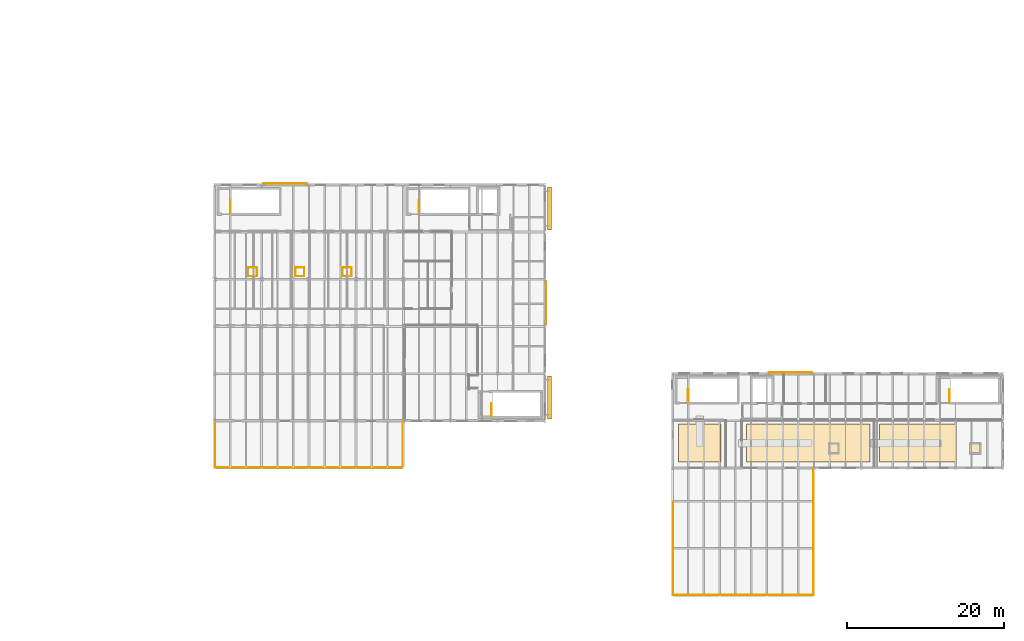
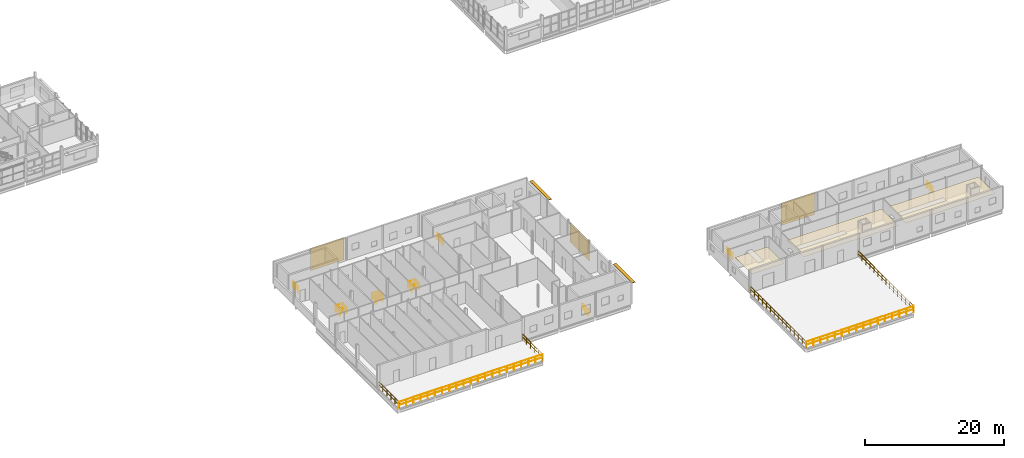
# One storey, part 43 of 45: 23 railings, 6 coverings, 2 shading devices.
"""IFC4 building model written with IfcOpenShell, lengths in metres."""

from ifc_helpers import new_model, si_unit, direction, frame, origin, origin_2d, place, context, subcontext, project, spatial, polyline, rectangle, circle, outline, extrude, material, layer, layer_set, type_object, element, save


model = new_model("IFC4")

# Units and contexts
model_context = context("Model", 3, precision=1e-05, world=origin(), true_north=direction((0.0, 1.0)))
body_context = subcontext(model_context, "Body", "Model", "MODEL_VIEW")
ifc_project = project(units=[si_unit("LENGTHUNIT", "METRE"), si_unit("AREAUNIT", "SQUARE_METRE"), si_unit("VOLUMEUNIT", "CUBIC_METRE"), si_unit("PLANEANGLEUNIT", "RADIAN"), si_unit("MASSUNIT", "GRAM", prefix="KILO")], contexts=[model_context])

# Site, building, storey
site_placement = place(None, origin())
site = spatial("IfcSite", under=ifc_project, at=site_placement, CompositionType="ELEMENT")
building_placement = place(site_placement, origin())
building = spatial("IfcBuilding", under=site, at=building_placement, Name="Siltcreek Boulevard Central Fire Station", CompositionType="ELEMENT")
storey_placement = place(building_placement, frame((0.0, 0.0, 10.0)))
storey = spatial("IfcBuildingStorey", under=building, at=storey_placement, Name="L03", CompositionType="ELEMENT", Elevation=10.0)

# Coverings
ifc_material_1 = material(Name="Mineral-fiber acoustic ceiling tile", Category="gypsum")
ifc_layer_1 = layer(ifc_material_1, 0.02490234375, Name="Mineral-fiber acoustic ceiling tile")
ifc_layer_set_1 = layer_set([ifc_layer_1], Name="Mineral-fiber acoustic ceiling tile")
covering_type_1 = type_object("IfcCoveringType", Name="COV_CEIL_ACT", PredefinedType="CEILING", material=ifc_layer_set_1)
covering_1_placement = place(storey_placement, frame((0.0, 0.0, 2.419921875)))
element("IfcCovering", 1, at=covering_1_placement, inside=storey, type_object=covering_type_1, Name="L03 Incident Command Simulation Laboratory acoustic ceiling ACT-032", PredefinedType="CEILING", context=body_context, shape_type="SweptSolid", body=[
    extrude(outline(polyline([(125.0, 18.75), (130.3798828125, 18.75), (130.3798828125, 23.580078125), (125.0, 23.580078125), (125.0, 18.75)])), origin(), (0.0, 0.0, 1.0), 0.025146484375),
])
covering_2_placement = place(storey_placement, frame((0.0, 0.0, 2.419921875)))
element("IfcCovering", 2, at=covering_2_placement, inside=storey, type_object=covering_type_1, Name="L03 Hazmat Plume Simulation Laboratory acoustic ceiling ACT-033", PredefinedType="CEILING", context=body_context, shape_type="SweptSolid", body=[
    extrude(outline(polyline([(133.60009765625, 18.75), (149.300048828125, 18.75), (149.300048828125, 23.580078125), (133.60009765625, 23.580078125), (133.60009765625, 18.75)])), origin(), (0.0, 0.0, 1.0), 0.025146484375),
])
covering_3_placement = place(storey_placement, frame((0.0, 0.0, 2.419921875)))
element("IfcCovering", 3, at=covering_3_placement, inside=storey, type_object=covering_type_1, Name="L03 Paramedic High Fidelity Skills Lab acoustic ceiling ACT-034", PredefinedType="CEILING", context=body_context, shape_type="SweptSolid", body=[
    extrude(outline(polyline([(150.5, 18.75), (165.39990234375, 18.75), (165.39990234375, 23.580078125), (150.5, 23.580078125), (150.5, 18.75)])), origin(), (0.0, 0.0, 1.0), 0.025146484375),
])
ifc_material_2 = material(Name="Crisp white ribbed aluminum facade panel", Category="aluminium")
ifc_layer_2 = layer(ifc_material_2, 0.0400390625, Name="Crisp white ribbed aluminum facade panel")
ifc_layer_set_2 = layer_set([ifc_layer_2], Name="Crisp white ribbed aluminum facade panel")
covering_type_2 = type_object("IfcCoveringType", Name="COV_CLAD_WHITE", PredefinedType="CLADDING", material=ifc_layer_set_2)
covering_4_placement = place(storey_placement, frame((75.0, 54.1630859375, 0.050048828125), z_axis=(0.0, 0.0, 1.0), x_axis=(-1.0, 0.0, 0.0)))
element("IfcCovering", 4, at=covering_4_placement, inside=storey, type_object=covering_type_2, Name="L03 V2 ventilated facade cladding panel CL-006", PredefinedType="CLADDING", context=body_context, shape_type="SweptSolid", body=[
    extrude(rectangle(XDim=5.550048828125, YDim=0.0400390625, at=origin_2d()), origin(), (0.0, 0.0, 1.0), 3.89990234375),
])
covering_5_placement = place(storey_placement, frame((108.1630859375, 39.0, 0.050048828125), z_axis=(0.0, 0.0, 1.0), x_axis=(0.0, 1.0, 0.0)))
element("IfcCovering", 5, at=covering_5_placement, inside=storey, type_object=covering_type_2, Name="L03 V2 ventilated facade cladding panel CL-007", PredefinedType="CLADDING", context=body_context, shape_type="SweptSolid", body=[
    extrude(rectangle(XDim=5.550048828125, YDim=0.0400390625, at=origin_2d()), origin(), (0.0, 0.0, 1.0), 3.40625),
])
covering_6_placement = place(storey_placement, frame((139.199951171875, 30.1630859375, 0.050048828125), z_axis=(0.0, 0.0, 1.0), x_axis=(-1.0, 0.0, 0.0)))
element("IfcCovering", 6, at=covering_6_placement, inside=storey, type_object=covering_type_2, Name="L03 V6 ventilated facade cladding panel CL-028", PredefinedType="CLADDING", context=body_context, shape_type="SweptSolid", body=[
    extrude(rectangle(XDim=5.550048828125, YDim=0.0400390625, at=origin_2d()), origin(), (0.0, 0.0, 1.0), 3.89990234375),
])

# Railings
ifc_material_3 = material(Name="Painted galvanized steel stair guard", Category="steel")
railing_type_1 = type_object("IfcRailingType", Name="RL_ST_GUARD", PredefinedType="BALUSTRADE", material=ifc_material_3)
railing_1_placement = place(storey_placement, frame((92.0, 50.39990234375, 0.0)))
element("IfcRailing", 7, at=railing_1_placement, inside=storey, type_object=railing_type_1, Name="L03 ST-V2A top well guard 1", PredefinedType="BALUSTRADE", context=body_context, shape_type="SweptSolid", body=[
    extrude(circle(Radius=0.02392578125, at=origin_2d()), frame((0.0, 0.0, 1.076171875), z_axis=(0.0, 1.0, 0.0), x_axis=(-1.0, 0.0, 0.0)), (0.0, 0.0, 1.0), 1.60009765625),
    extrude(circle(Radius=0.02392578125, at=origin_2d()), frame((0.0, 0.0, 0.550048828125), z_axis=(0.0, 1.0, 0.0), x_axis=(-1.0, 0.0, 0.0)), (0.0, 0.0, 1.0), 1.60009765625),
    extrude(circle(Radius=0.02099609375, at=origin_2d()), origin(), (0.0, 0.0, 1.0), 1.052001953125),
    extrude(circle(Radius=0.02099609375, at=origin_2d()), frame((0.0, 0.800048828125, 0.0)), (0.0, 0.0, 1.0), 1.052001953125),
    extrude(circle(Radius=0.02099609375, at=origin_2d()), frame((0.0, 1.60009765625, 0.0)), (0.0, 0.0, 1.0), 1.052001953125),
])
railing_2_placement = place(storey_placement, frame((101.199951171875, 24.60009765625, 0.0)))
element("IfcRailing", 8, at=railing_2_placement, inside=storey, type_object=railing_type_1, Name="L03 ST-V2B top well guard 1", PredefinedType="BALUSTRADE", context=body_context, shape_type="SweptSolid", body=[
    extrude(circle(Radius=0.02392578125, at=origin_2d()), frame((0.0, 0.0, 1.076171875), z_axis=(0.0, 1.0, 0.0), x_axis=(-1.0, 0.0, 0.0)), (0.0, 0.0, 1.0), 1.599853515625),
    extrude(circle(Radius=0.02392578125, at=origin_2d()), frame((0.0, 0.0, 0.550048828125), z_axis=(0.0, 1.0, 0.0), x_axis=(-1.0, 0.0, 0.0)), (0.0, 0.0, 1.0), 1.599853515625),
    extrude(circle(Radius=0.02099609375, at=origin_2d()), origin(), (0.0, 0.0, 1.0), 1.052001953125),
    extrude(circle(Radius=0.02099609375, at=origin_2d()), frame((0.0, 0.7998046875, 0.0)), (0.0, 0.0, 1.0), 1.052001953125),
    extrude(circle(Radius=0.02099609375, at=origin_2d()), frame((0.0, 1.599853515625, 0.0)), (0.0, 0.0, 1.0), 1.052001953125),
])
for number, where, name in (
    (9, (68.0, 50.39990234375, 0.0), "L03 ST-V2C top well guard 1"),
    (10, (126.199951171875, 26.39990234375, 0.0), "L03 ST-V6A top well guard 1"),
    (11, (159.39990234375, 26.39990234375, 0.0), "L03 ST-V6B top well guard 1"),
):
    element("IfcRailing", number, at=place(storey_placement, frame(where)), inside=storey, type_object=railing_type_1, Name=name, PredefinedType="BALUSTRADE", context=body_context, shape_type="SweptSolid", body=[
        extrude(circle(Radius=0.02392578125, at=origin_2d()), frame((0.0, 0.0, 1.076171875), z_axis=(0.0, 1.0, 0.0), x_axis=(-1.0, 0.0, 0.0)), (0.0, 0.0, 1.0), 1.60009765625),
        extrude(circle(Radius=0.02392578125, at=origin_2d()), frame((0.0, 0.0, 0.550048828125), z_axis=(0.0, 1.0, 0.0), x_axis=(-1.0, 0.0, 0.0)), (0.0, 0.0, 1.0), 1.60009765625),
        extrude(circle(Radius=0.02099609375, at=origin_2d()), origin(), (0.0, 0.0, 1.0), 1.052001953125),
        extrude(circle(Radius=0.02099609375, at=origin_2d()), frame((0.0, 0.800048828125, 0.0)), (0.0, 0.0, 1.0), 1.052001953125),
        extrude(circle(Radius=0.02099609375, at=origin_2d()), frame((0.0, 1.60009765625, 0.0)), (0.0, 0.0, 1.0), 1.052001953125),
    ])
ifc_material_4 = material(Name="Galvanized painted steel guardrail", Category="steel")
railing_type_2 = type_object("IfcRailingType", Name="RL_TER_GUARD", PredefinedType="BALUSTRADE", material=ifc_material_4)
railing_3_placement = place(storey_placement, frame((66.080078125, 18.080078125, 0.0)))
element("IfcRailing", 12, at=railing_3_placement, inside=storey, type_object=railing_type_2, Name="L03 V2 outdoor terrace perimeter guard 1.1", PredefinedType="BALUSTRADE", context=body_context, shape_type="SweptSolid", body=[
    extrude(circle(Radius=0.02392578125, at=origin_2d()), frame((0.0, 0.0, 1.076171875), z_axis=(1.0, 0.0, 0.0), x_axis=(0.0, 1.0, 0.0)), (0.0, 0.0, 1.0), 23.83984375),
    extrude(circle(Radius=0.02392578125, at=origin_2d()), frame((0.0, 0.0, 0.550048828125), z_axis=(1.0, 0.0, 0.0), x_axis=(0.0, 1.0, 0.0)), (0.0, 0.0, 1.0), 23.83984375),
    extrude(circle(Radius=0.02099609375, at=origin_2d()), origin(), (0.0, 0.0, 1.0), 1.052001953125),
    extrude(circle(Radius=0.02099609375, at=origin_2d()), frame((1.19189453125, 0.0, 0.0)), (0.0, 0.0, 1.0), 1.052001953125),
    extrude(circle(Radius=0.02099609375, at=origin_2d()), frame((2.384033203125, 0.0, 0.0)), (0.0, 0.0, 1.0), 1.052001953125),
    extrude(circle(Radius=0.02099609375, at=origin_2d()), frame((3.575927734375, 0.0, 0.0)), (0.0, 0.0, 1.0), 1.052001953125),
    extrude(circle(Radius=0.02099609375, at=origin_2d()), frame((4.76806640625, 0.0, 0.0)), (0.0, 0.0, 1.0), 1.052001953125),
    extrude(circle(Radius=0.02099609375, at=origin_2d()), frame((5.9599609375, 0.0, 0.0)), (0.0, 0.0, 1.0), 1.052001953125),
    extrude(circle(Radius=0.02099609375, at=origin_2d()), frame((7.15185546875, 0.0, 0.0)), (0.0, 0.0, 1.0), 1.052001953125),
    extrude(circle(Radius=0.02099609375, at=origin_2d()), frame((8.343994140625, 0.0, 0.0)), (0.0, 0.0, 1.0), 1.052001953125),
    extrude(circle(Radius=0.02099609375, at=origin_2d()), frame((9.535888671875, 0.0, 0.0)), (0.0, 0.0, 1.0), 1.052001953125),
    extrude(circle(Radius=0.02099609375, at=origin_2d()), frame((10.72802734375, 0.0, 0.0)), (0.0, 0.0, 1.0), 1.052001953125),
    extrude(circle(Radius=0.02099609375, at=origin_2d()), frame((11.919921875, 0.0, 0.0)), (0.0, 0.0, 1.0), 1.052001953125),
    extrude(circle(Radius=0.02099609375, at=origin_2d()), frame((13.11181640625, 0.0, 0.0)), (0.0, 0.0, 1.0), 1.052001953125),
    extrude(circle(Radius=0.02099609375, at=origin_2d()), frame((14.303955078125, 0.0, 0.0)), (0.0, 0.0, 1.0), 1.052001953125),
    extrude(circle(Radius=0.02099609375, at=origin_2d()), frame((15.495849609375, 0.0, 0.0)), (0.0, 0.0, 1.0), 1.052001953125),
    extrude(circle(Radius=0.02099609375, at=origin_2d()), frame((16.68798828125, 0.0, 0.0)), (0.0, 0.0, 1.0), 1.052001953125),
    extrude(circle(Radius=0.02099609375, at=origin_2d()), frame((17.8798828125, 0.0, 0.0)), (0.0, 0.0, 1.0), 1.052001953125),
    extrude(circle(Radius=0.02099609375, at=origin_2d()), frame((19.07177734375, 0.0, 0.0)), (0.0, 0.0, 1.0), 1.052001953125),
    extrude(circle(Radius=0.02099609375, at=origin_2d()), frame((20.263916015625, 0.0, 0.0)), (0.0, 0.0, 1.0), 1.052001953125),
    extrude(circle(Radius=0.02099609375, at=origin_2d()), frame((21.455810546875, 0.0, 0.0)), (0.0, 0.0, 1.0), 1.052001953125),
    extrude(circle(Radius=0.02099609375, at=origin_2d()), frame((22.64794921875, 0.0, 0.0)), (0.0, 0.0, 1.0), 1.052001953125),
    extrude(circle(Radius=0.02099609375, at=origin_2d()), frame((23.83984375, 0.0, 0.0)), (0.0, 0.0, 1.0), 1.052001953125),
])
railing_4_placement = place(storey_placement, frame((89.919921875, 18.080078125, 0.0)))
element("IfcRailing", 13, at=railing_4_placement, inside=storey, type_object=railing_type_2, Name="L03 V2 outdoor terrace perimeter guard 1.2", PredefinedType="BALUSTRADE", context=body_context, shape_type="SweptSolid", body=[
    extrude(circle(Radius=0.02392578125, at=origin_2d()), frame((0.0, 0.0, 1.076171875), z_axis=(0.0, 1.0, 0.0), x_axis=(-1.0, 0.0, 0.0)), (0.0, 0.0, 1.0), 5.83984375),
    extrude(circle(Radius=0.02392578125, at=origin_2d()), frame((0.0, 0.0, 0.550048828125), z_axis=(0.0, 1.0, 0.0), x_axis=(-1.0, 0.0, 0.0)), (0.0, 0.0, 1.0), 5.83984375),
    extrude(circle(Radius=0.02099609375, at=origin_2d()), origin(), (0.0, 0.0, 1.0), 1.052001953125),
    extrude(circle(Radius=0.02099609375, at=origin_2d()), frame((0.0, 1.16796875, 0.0)), (0.0, 0.0, 1.0), 1.052001953125),
    extrude(circle(Radius=0.02099609375, at=origin_2d()), frame((0.0, 2.3359375, 0.0)), (0.0, 0.0, 1.0), 1.052001953125),
    extrude(circle(Radius=0.02099609375, at=origin_2d()), frame((0.0, 3.50390625, 0.0)), (0.0, 0.0, 1.0), 1.052001953125),
    extrude(circle(Radius=0.02099609375, at=origin_2d()), frame((0.0, 4.671875, 0.0)), (0.0, 0.0, 1.0), 1.052001953125),
    extrude(circle(Radius=0.02099609375, at=origin_2d()), frame((0.0, 5.83984375, 0.0)), (0.0, 0.0, 1.0), 1.052001953125),
])
railing_5_placement = place(storey_placement, frame((66.080078125, 23.919921875, 0.0)))
element("IfcRailing", 14, at=railing_5_placement, inside=storey, type_object=railing_type_2, Name="L03 V2 outdoor terrace perimeter guard 1.4", PredefinedType="BALUSTRADE", context=body_context, shape_type="SweptSolid", body=[
    extrude(circle(Radius=0.02392578125, at=origin_2d()), frame((0.0, 0.0, 1.076171875), z_axis=(0.0, -1.0, 0.0), x_axis=(1.0, 0.0, 0.0)), (0.0, 0.0, 1.0), 5.83984375),
    extrude(circle(Radius=0.02392578125, at=origin_2d()), frame((0.0, 0.0, 0.550048828125), z_axis=(0.0, -1.0, 0.0), x_axis=(1.0, 0.0, 0.0)), (0.0, 0.0, 1.0), 5.83984375),
    extrude(circle(Radius=0.02099609375, at=origin_2d()), origin(), (0.0, 0.0, 1.0), 1.052001953125),
    extrude(circle(Radius=0.02099609375, at=origin_2d()), frame((0.0, -1.16796875, 0.0)), (0.0, 0.0, 1.0), 1.052001953125),
    extrude(circle(Radius=0.02099609375, at=origin_2d()), frame((0.0, -2.3359375, 0.0)), (0.0, 0.0, 1.0), 1.052001953125),
    extrude(circle(Radius=0.02099609375, at=origin_2d()), frame((0.0, -3.50390625, 0.0)), (0.0, 0.0, 1.0), 1.052001953125),
    extrude(circle(Radius=0.02099609375, at=origin_2d()), frame((0.0, -4.671875, 0.0)), (0.0, 0.0, 1.0), 1.052001953125),
    extrude(circle(Radius=0.02099609375, at=origin_2d()), frame((0.0, -5.83984375, 0.0)), (0.0, 0.0, 1.0), 1.052001953125),
])
railing_6_placement = place(storey_placement, frame((124.280029296875, 1.8798828125, 0.0)))
element("IfcRailing", 15, at=railing_6_placement, inside=storey, type_object=railing_type_2, Name="L03 V6 outdoor terrace perimeter guard 1.1", PredefinedType="BALUSTRADE", context=body_context, shape_type="SweptSolid", body=[
    extrude(circle(Radius=0.02392578125, at=origin_2d()), frame((0.0, 0.0, 1.076171875), z_axis=(1.0, 0.0, 0.0), x_axis=(0.0, 1.0, 0.0)), (0.0, 0.0, 1.0), 17.840087890625),
    extrude(circle(Radius=0.02392578125, at=origin_2d()), frame((0.0, 0.0, 0.550048828125), z_axis=(1.0, 0.0, 0.0), x_axis=(0.0, 1.0, 0.0)), (0.0, 0.0, 1.0), 17.840087890625),
    extrude(circle(Radius=0.02099609375, at=origin_2d()), origin(), (0.0, 0.0, 1.0), 1.052001953125),
    extrude(circle(Radius=0.02099609375, at=origin_2d()), frame((1.189453125, 0.0, 0.0)), (0.0, 0.0, 1.0), 1.052001953125),
    extrude(circle(Radius=0.02099609375, at=origin_2d()), frame((2.378662109375, 0.0, 0.0)), (0.0, 0.0, 1.0), 1.052001953125),
    extrude(circle(Radius=0.02099609375, at=origin_2d()), frame((3.568115234375, 0.0, 0.0)), (0.0, 0.0, 1.0), 1.052001953125),
    extrude(circle(Radius=0.02099609375, at=origin_2d()), frame((4.75732421875, 0.0, 0.0)), (0.0, 0.0, 1.0), 1.052001953125),
    extrude(circle(Radius=0.02099609375, at=origin_2d()), frame((5.94677734375, 0.0, 0.0)), (0.0, 0.0, 1.0), 1.052001953125),
    extrude(circle(Radius=0.02099609375, at=origin_2d()), frame((7.135986328125, 0.0, 0.0)), (0.0, 0.0, 1.0), 1.052001953125),
    extrude(circle(Radius=0.02099609375, at=origin_2d()), frame((8.325439453125, 0.0, 0.0)), (0.0, 0.0, 1.0), 1.052001953125),
    extrude(circle(Radius=0.02099609375, at=origin_2d()), frame((9.5146484375, 0.0, 0.0)), (0.0, 0.0, 1.0), 1.052001953125),
    extrude(circle(Radius=0.02099609375, at=origin_2d()), frame((10.7041015625, 0.0, 0.0)), (0.0, 0.0, 1.0), 1.052001953125),
    extrude(circle(Radius=0.02099609375, at=origin_2d()), frame((11.893310546875, 0.0, 0.0)), (0.0, 0.0, 1.0), 1.052001953125),
    extrude(circle(Radius=0.02099609375, at=origin_2d()), frame((13.082763671875, 0.0, 0.0)), (0.0, 0.0, 1.0), 1.052001953125),
    extrude(circle(Radius=0.02099609375, at=origin_2d()), frame((14.27197265625, 0.0, 0.0)), (0.0, 0.0, 1.0), 1.052001953125),
    extrude(circle(Radius=0.02099609375, at=origin_2d()), frame((15.46142578125, 0.0, 0.0)), (0.0, 0.0, 1.0), 1.052001953125),
    extrude(circle(Radius=0.02099609375, at=origin_2d()), frame((16.650634765625, 0.0, 0.0)), (0.0, 0.0, 1.0), 1.052001953125),
    extrude(circle(Radius=0.02099609375, at=origin_2d()), frame((17.840087890625, 0.0, 0.0)), (0.0, 0.0, 1.0), 1.052001953125),
])
railing_7_placement = place(storey_placement, frame((142.1201171875, 1.8798828125, 0.0)))
element("IfcRailing", 16, at=railing_7_placement, inside=storey, type_object=railing_type_2, Name="L03 V6 outdoor terrace perimeter guard 1.2", PredefinedType="BALUSTRADE", context=body_context, shape_type="SweptSolid", body=[
    extrude(circle(Radius=0.02392578125, at=origin_2d()), frame((0.0, 0.0, 1.076171875), z_axis=(0.0, 1.0, 0.0), x_axis=(-1.0, 0.0, 0.0)), (0.0, 0.0, 1.0), 16.0400390625),
    extrude(circle(Radius=0.02392578125, at=origin_2d()), frame((0.0, 0.0, 0.550048828125), z_axis=(0.0, 1.0, 0.0), x_axis=(-1.0, 0.0, 0.0)), (0.0, 0.0, 1.0), 16.0400390625),
    extrude(circle(Radius=0.02099609375, at=origin_2d()), origin(), (0.0, 0.0, 1.0), 1.052001953125),
    extrude(circle(Radius=0.02099609375, at=origin_2d()), frame((0.0, 1.145751953125, 0.0)), (0.0, 0.0, 1.0), 1.052001953125),
    extrude(circle(Radius=0.02099609375, at=origin_2d()), frame((0.0, 2.29150390625, 0.0)), (0.0, 0.0, 1.0), 1.052001953125),
    extrude(circle(Radius=0.02099609375, at=origin_2d()), frame((0.0, 3.437255859375, 0.0)), (0.0, 0.0, 1.0), 1.052001953125),
    extrude(circle(Radius=0.02099609375, at=origin_2d()), frame((0.0, 4.582763671875, 0.0)), (0.0, 0.0, 1.0), 1.052001953125),
    extrude(circle(Radius=0.02099609375, at=origin_2d()), frame((0.0, 5.728515625, 0.0)), (0.0, 0.0, 1.0), 1.052001953125),
    extrude(circle(Radius=0.02099609375, at=origin_2d()), frame((0.0, 6.874267578125, 0.0)), (0.0, 0.0, 1.0), 1.052001953125),
    extrude(circle(Radius=0.02099609375, at=origin_2d()), frame((0.0, 8.02001953125, 0.0)), (0.0, 0.0, 1.0), 1.052001953125),
    extrude(circle(Radius=0.02099609375, at=origin_2d()), frame((0.0, 9.165771484375, 0.0)), (0.0, 0.0, 1.0), 1.052001953125),
    extrude(circle(Radius=0.02099609375, at=origin_2d()), frame((0.0, 10.3115234375, 0.0)), (0.0, 0.0, 1.0), 1.052001953125),
    extrude(circle(Radius=0.02099609375, at=origin_2d()), frame((0.0, 11.457275390625, 0.0)), (0.0, 0.0, 1.0), 1.052001953125),
    extrude(circle(Radius=0.02099609375, at=origin_2d()), frame((0.0, 12.602783203125, 0.0)), (0.0, 0.0, 1.0), 1.052001953125),
    extrude(circle(Radius=0.02099609375, at=origin_2d()), frame((0.0, 13.74853515625, 0.0)), (0.0, 0.0, 1.0), 1.052001953125),
    extrude(circle(Radius=0.02099609375, at=origin_2d()), frame((0.0, 14.894287109375, 0.0)), (0.0, 0.0, 1.0), 1.052001953125),
    extrude(circle(Radius=0.02099609375, at=origin_2d()), frame((0.0, 16.0400390625, 0.0)), (0.0, 0.0, 1.0), 1.052001953125),
])
railing_8_placement = place(storey_placement, frame((124.280029296875, 17.919921875, 0.0)))
element("IfcRailing", 17, at=railing_8_placement, inside=storey, type_object=railing_type_2, Name="L03 V6 outdoor terrace perimeter guard 1.4", PredefinedType="BALUSTRADE", context=body_context, shape_type="SweptSolid", body=[
    extrude(circle(Radius=0.02392578125, at=origin_2d()), frame((0.0, 0.0, 1.076171875), z_axis=(0.0, -1.0, 0.0), x_axis=(1.0, 0.0, 0.0)), (0.0, 0.0, 1.0), 16.0400390625),
    extrude(circle(Radius=0.02392578125, at=origin_2d()), frame((0.0, 0.0, 0.550048828125), z_axis=(0.0, -1.0, 0.0), x_axis=(1.0, 0.0, 0.0)), (0.0, 0.0, 1.0), 16.0400390625),
    extrude(circle(Radius=0.02099609375, at=origin_2d()), origin(), (0.0, 0.0, 1.0), 1.052001953125),
    extrude(circle(Radius=0.02099609375, at=origin_2d()), frame((0.0, -1.145751953125, 0.0)), (0.0, 0.0, 1.0), 1.052001953125),
    extrude(circle(Radius=0.02099609375, at=origin_2d()), frame((0.0, -2.29150390625, 0.0)), (0.0, 0.0, 1.0), 1.052001953125),
    extrude(circle(Radius=0.02099609375, at=origin_2d()), frame((0.0, -3.437255859375, 0.0)), (0.0, 0.0, 1.0), 1.052001953125),
    extrude(circle(Radius=0.02099609375, at=origin_2d()), frame((0.0, -4.582763671875, 0.0)), (0.0, 0.0, 1.0), 1.052001953125),
    extrude(circle(Radius=0.02099609375, at=origin_2d()), frame((0.0, -5.728515625, 0.0)), (0.0, 0.0, 1.0), 1.052001953125),
    extrude(circle(Radius=0.02099609375, at=origin_2d()), frame((0.0, -6.874267578125, 0.0)), (0.0, 0.0, 1.0), 1.052001953125),
    extrude(circle(Radius=0.02099609375, at=origin_2d()), frame((0.0, -8.02001953125, 0.0)), (0.0, 0.0, 1.0), 1.052001953125),
    extrude(circle(Radius=0.02099609375, at=origin_2d()), frame((0.0, -9.165771484375, 0.0)), (0.0, 0.0, 1.0), 1.052001953125),
    extrude(circle(Radius=0.02099609375, at=origin_2d()), frame((0.0, -10.3115234375, 0.0)), (0.0, 0.0, 1.0), 1.052001953125),
    extrude(circle(Radius=0.02099609375, at=origin_2d()), frame((0.0, -11.457275390625, 0.0)), (0.0, 0.0, 1.0), 1.052001953125),
    extrude(circle(Radius=0.02099609375, at=origin_2d()), frame((0.0, -12.602783203125, 0.0)), (0.0, 0.0, 1.0), 1.052001953125),
    extrude(circle(Radius=0.02099609375, at=origin_2d()), frame((0.0, -13.74853515625, 0.0)), (0.0, 0.0, 1.0), 1.052001953125),
    extrude(circle(Radius=0.02099609375, at=origin_2d()), frame((0.0, -14.894287109375, 0.0)), (0.0, 0.0, 1.0), 1.052001953125),
    extrude(circle(Radius=0.02099609375, at=origin_2d()), frame((0.0, -16.0400390625, 0.0)), (0.0, 0.0, 1.0), 1.052001953125),
])
railing_9_placement = place(storey_placement, frame((70.2900390625, 42.389892578125, 0.0)))
element("IfcRailing", 18, at=railing_9_placement, inside=storey, type_object=railing_type_2, Name="L03 brass slide-pole safety guard 1.1", PredefinedType="BALUSTRADE", context=body_context, shape_type="SweptSolid", body=[
    extrude(circle(Radius=0.02392578125, at=origin_2d()), frame((0.0, 0.0, 1.076171875), z_axis=(1.0, 0.0, 0.0), x_axis=(0.0, 1.0, 0.0)), (0.0, 0.0, 1.0), 1.119873046875),
    extrude(circle(Radius=0.02392578125, at=origin_2d()), frame((0.0, 0.0, 0.550048828125), z_axis=(1.0, 0.0, 0.0), x_axis=(0.0, 1.0, 0.0)), (0.0, 0.0, 1.0), 1.119873046875),
    extrude(circle(Radius=0.02099609375, at=origin_2d()), origin(), (0.0, 0.0, 1.0), 1.052001953125),
    extrude(circle(Radius=0.02099609375, at=origin_2d()), frame((1.119873046875, 0.0, 0.0)), (0.0, 0.0, 1.0), 1.052001953125),
])
railing_10_placement = place(storey_placement, frame((71.409912109375, 42.429931640625, 0.0)))
element("IfcRailing", 19, at=railing_10_placement, inside=storey, type_object=railing_type_2, Name="L03 brass slide-pole safety guard 1.2", PredefinedType="BALUSTRADE", context=body_context, shape_type="SweptSolid", body=[
    extrude(circle(Radius=0.02392578125, at=origin_2d()), frame((0.0, 0.0, 1.076171875), z_axis=(0.0, 1.0, 0.0), x_axis=(-1.0, 0.0, 0.0)), (0.0, 0.0, 1.0), 1.0400390625),
    extrude(circle(Radius=0.02392578125, at=origin_2d()), frame((0.0, 0.0, 0.550048828125), z_axis=(0.0, 1.0, 0.0), x_axis=(-1.0, 0.0, 0.0)), (0.0, 0.0, 1.0), 1.0400390625),
    extrude(circle(Radius=0.02099609375, at=origin_2d()), origin(), (0.0, 0.0, 1.0), 1.052001953125),
    extrude(circle(Radius=0.02099609375, at=origin_2d()), frame((0.0, 1.0400390625, 0.0)), (0.0, 0.0, 1.0), 1.052001953125),
])
railing_11_placement = place(storey_placement, frame((71.409912109375, 43.510009765625, 0.0)))
element("IfcRailing", 20, at=railing_11_placement, inside=storey, type_object=railing_type_2, Name="L03 brass slide-pole safety guard 1.3", PredefinedType="BALUSTRADE", context=body_context, shape_type="SweptSolid", body=[
    extrude(circle(Radius=0.02392578125, at=origin_2d()), frame((0.0, 0.0, 1.076171875), z_axis=(-1.0, 0.0, 0.0), x_axis=(0.0, -1.0, 0.0)), (0.0, 0.0, 1.0), 1.119873046875),
    extrude(circle(Radius=0.02392578125, at=origin_2d()), frame((0.0, 0.0, 0.550048828125), z_axis=(-1.0, 0.0, 0.0), x_axis=(0.0, -1.0, 0.0)), (0.0, 0.0, 1.0), 1.119873046875),
    extrude(circle(Radius=0.02099609375, at=origin_2d()), origin(), (0.0, 0.0, 1.0), 1.052001953125),
    extrude(circle(Radius=0.02099609375, at=origin_2d()), frame((-1.119873046875, 0.0, 0.0)), (0.0, 0.0, 1.0), 1.052001953125),
])
railing_12_placement = place(storey_placement, frame((70.2900390625, 43.469970703125, 0.0)))
element("IfcRailing", 21, at=railing_12_placement, inside=storey, type_object=railing_type_2, Name="L03 brass slide-pole safety guard 1.4", PredefinedType="BALUSTRADE", context=body_context, shape_type="SweptSolid", body=[
    extrude(circle(Radius=0.02392578125, at=origin_2d()), frame((0.0, 0.0, 1.076171875), z_axis=(0.0, -1.0, 0.0), x_axis=(1.0, 0.0, 0.0)), (0.0, 0.0, 1.0), 1.0400390625),
    extrude(circle(Radius=0.02392578125, at=origin_2d()), frame((0.0, 0.0, 0.550048828125), z_axis=(0.0, -1.0, 0.0), x_axis=(1.0, 0.0, 0.0)), (0.0, 0.0, 1.0), 1.0400390625),
    extrude(circle(Radius=0.02099609375, at=origin_2d()), origin(), (0.0, 0.0, 1.0), 1.052001953125),
    extrude(circle(Radius=0.02099609375, at=origin_2d()), frame((0.0, -1.0400390625, 0.0)), (0.0, 0.0, 1.0), 1.052001953125),
])
railing_13_placement = place(storey_placement, frame((76.2900390625, 42.389892578125, 0.0)))
element("IfcRailing", 22, at=railing_13_placement, inside=storey, type_object=railing_type_2, Name="L03 brass slide-pole safety guard 2.1", PredefinedType="BALUSTRADE", context=body_context, shape_type="SweptSolid", body=[
    extrude(circle(Radius=0.02392578125, at=origin_2d()), frame((0.0, 0.0, 1.076171875), z_axis=(1.0, 0.0, 0.0), x_axis=(0.0, 1.0, 0.0)), (0.0, 0.0, 1.0), 1.119873046875),
    extrude(circle(Radius=0.02392578125, at=origin_2d()), frame((0.0, 0.0, 0.550048828125), z_axis=(1.0, 0.0, 0.0), x_axis=(0.0, 1.0, 0.0)), (0.0, 0.0, 1.0), 1.119873046875),
    extrude(circle(Radius=0.02099609375, at=origin_2d()), origin(), (0.0, 0.0, 1.0), 1.052001953125),
    extrude(circle(Radius=0.02099609375, at=origin_2d()), frame((1.119873046875, 0.0, 0.0)), (0.0, 0.0, 1.0), 1.052001953125),
])
railing_14_placement = place(storey_placement, frame((77.409912109375, 42.429931640625, 0.0)))
element("IfcRailing", 23, at=railing_14_placement, inside=storey, type_object=railing_type_2, Name="L03 brass slide-pole safety guard 2.2", PredefinedType="BALUSTRADE", context=body_context, shape_type="SweptSolid", body=[
    extrude(circle(Radius=0.02392578125, at=origin_2d()), frame((0.0, 0.0, 1.076171875), z_axis=(0.0, 1.0, 0.0), x_axis=(-1.0, 0.0, 0.0)), (0.0, 0.0, 1.0), 1.0400390625),
    extrude(circle(Radius=0.02392578125, at=origin_2d()), frame((0.0, 0.0, 0.550048828125), z_axis=(0.0, 1.0, 0.0), x_axis=(-1.0, 0.0, 0.0)), (0.0, 0.0, 1.0), 1.0400390625),
    extrude(circle(Radius=0.02099609375, at=origin_2d()), origin(), (0.0, 0.0, 1.0), 1.052001953125),
    extrude(circle(Radius=0.02099609375, at=origin_2d()), frame((0.0, 1.0400390625, 0.0)), (0.0, 0.0, 1.0), 1.052001953125),
])
railing_15_placement = place(storey_placement, frame((77.409912109375, 43.510009765625, 0.0)))
element("IfcRailing", 24, at=railing_15_placement, inside=storey, type_object=railing_type_2, Name="L03 brass slide-pole safety guard 2.3", PredefinedType="BALUSTRADE", context=body_context, shape_type="SweptSolid", body=[
    extrude(circle(Radius=0.02392578125, at=origin_2d()), frame((0.0, 0.0, 1.076171875), z_axis=(-1.0, 0.0, 0.0), x_axis=(0.0, -1.0, 0.0)), (0.0, 0.0, 1.0), 1.119873046875),
    extrude(circle(Radius=0.02392578125, at=origin_2d()), frame((0.0, 0.0, 0.550048828125), z_axis=(-1.0, 0.0, 0.0), x_axis=(0.0, -1.0, 0.0)), (0.0, 0.0, 1.0), 1.119873046875),
    extrude(circle(Radius=0.02099609375, at=origin_2d()), origin(), (0.0, 0.0, 1.0), 1.052001953125),
    extrude(circle(Radius=0.02099609375, at=origin_2d()), frame((-1.119873046875, 0.0, 0.0)), (0.0, 0.0, 1.0), 1.052001953125),
])
railing_16_placement = place(storey_placement, frame((76.2900390625, 43.469970703125, 0.0)))
element("IfcRailing", 25, at=railing_16_placement, inside=storey, type_object=railing_type_2, Name="L03 brass slide-pole safety guard 2.4", PredefinedType="BALUSTRADE", context=body_context, shape_type="SweptSolid", body=[
    extrude(circle(Radius=0.02392578125, at=origin_2d()), frame((0.0, 0.0, 1.076171875), z_axis=(0.0, -1.0, 0.0), x_axis=(1.0, 0.0, 0.0)), (0.0, 0.0, 1.0), 1.0400390625),
    extrude(circle(Radius=0.02392578125, at=origin_2d()), frame((0.0, 0.0, 0.550048828125), z_axis=(0.0, -1.0, 0.0), x_axis=(1.0, 0.0, 0.0)), (0.0, 0.0, 1.0), 1.0400390625),
    extrude(circle(Radius=0.02099609375, at=origin_2d()), origin(), (0.0, 0.0, 1.0), 1.052001953125),
    extrude(circle(Radius=0.02099609375, at=origin_2d()), frame((0.0, -1.0400390625, 0.0)), (0.0, 0.0, 1.0), 1.052001953125),
])
railing_17_placement = place(storey_placement, frame((82.2900390625, 42.389892578125, 0.0)))
element("IfcRailing", 26, at=railing_17_placement, inside=storey, type_object=railing_type_2, Name="L03 brass slide-pole safety guard 3.1", PredefinedType="BALUSTRADE", context=body_context, shape_type="SweptSolid", body=[
    extrude(circle(Radius=0.02392578125, at=origin_2d()), frame((0.0, 0.0, 1.076171875), z_axis=(1.0, 0.0, 0.0), x_axis=(0.0, 1.0, 0.0)), (0.0, 0.0, 1.0), 1.119873046875),
    extrude(circle(Radius=0.02392578125, at=origin_2d()), frame((0.0, 0.0, 0.550048828125), z_axis=(1.0, 0.0, 0.0), x_axis=(0.0, 1.0, 0.0)), (0.0, 0.0, 1.0), 1.119873046875),
    extrude(circle(Radius=0.02099609375, at=origin_2d()), origin(), (0.0, 0.0, 1.0), 1.052001953125),
    extrude(circle(Radius=0.02099609375, at=origin_2d()), frame((1.119873046875, 0.0, 0.0)), (0.0, 0.0, 1.0), 1.052001953125),
])
railing_18_placement = place(storey_placement, frame((83.409912109375, 42.429931640625, 0.0)))
element("IfcRailing", 27, at=railing_18_placement, inside=storey, type_object=railing_type_2, Name="L03 brass slide-pole safety guard 3.2", PredefinedType="BALUSTRADE", context=body_context, shape_type="SweptSolid", body=[
    extrude(circle(Radius=0.02392578125, at=origin_2d()), frame((0.0, 0.0, 1.076171875), z_axis=(0.0, 1.0, 0.0), x_axis=(-1.0, 0.0, 0.0)), (0.0, 0.0, 1.0), 1.0400390625),
    extrude(circle(Radius=0.02392578125, at=origin_2d()), frame((0.0, 0.0, 0.550048828125), z_axis=(0.0, 1.0, 0.0), x_axis=(-1.0, 0.0, 0.0)), (0.0, 0.0, 1.0), 1.0400390625),
    extrude(circle(Radius=0.02099609375, at=origin_2d()), origin(), (0.0, 0.0, 1.0), 1.052001953125),
    extrude(circle(Radius=0.02099609375, at=origin_2d()), frame((0.0, 1.0400390625, 0.0)), (0.0, 0.0, 1.0), 1.052001953125),
])
railing_19_placement = place(storey_placement, frame((83.409912109375, 43.510009765625, 0.0)))
element("IfcRailing", 28, at=railing_19_placement, inside=storey, type_object=railing_type_2, Name="L03 brass slide-pole safety guard 3.3", PredefinedType="BALUSTRADE", context=body_context, shape_type="SweptSolid", body=[
    extrude(circle(Radius=0.02392578125, at=origin_2d()), frame((0.0, 0.0, 1.076171875), z_axis=(-1.0, 0.0, 0.0), x_axis=(0.0, -1.0, 0.0)), (0.0, 0.0, 1.0), 1.119873046875),
    extrude(circle(Radius=0.02392578125, at=origin_2d()), frame((0.0, 0.0, 0.550048828125), z_axis=(-1.0, 0.0, 0.0), x_axis=(0.0, -1.0, 0.0)), (0.0, 0.0, 1.0), 1.119873046875),
    extrude(circle(Radius=0.02099609375, at=origin_2d()), origin(), (0.0, 0.0, 1.0), 1.052001953125),
    extrude(circle(Radius=0.02099609375, at=origin_2d()), frame((-1.119873046875, 0.0, 0.0)), (0.0, 0.0, 1.0), 1.052001953125),
])
railing_20_placement = place(storey_placement, frame((82.2900390625, 43.469970703125, 0.0)))
element("IfcRailing", 29, at=railing_20_placement, inside=storey, type_object=railing_type_2, Name="L03 brass slide-pole safety guard 3.4", PredefinedType="BALUSTRADE", context=body_context, shape_type="SweptSolid", body=[
    extrude(circle(Radius=0.02392578125, at=origin_2d()), frame((0.0, 0.0, 1.076171875), z_axis=(0.0, -1.0, 0.0), x_axis=(1.0, 0.0, 0.0)), (0.0, 0.0, 1.0), 1.0400390625),
    extrude(circle(Radius=0.02392578125, at=origin_2d()), frame((0.0, 0.0, 0.550048828125), z_axis=(0.0, -1.0, 0.0), x_axis=(1.0, 0.0, 0.0)), (0.0, 0.0, 1.0), 1.0400390625),
    extrude(circle(Radius=0.02099609375, at=origin_2d()), origin(), (0.0, 0.0, 1.0), 1.052001953125),
    extrude(circle(Radius=0.02099609375, at=origin_2d()), frame((0.0, -1.0400390625, 0.0)), (0.0, 0.0, 1.0), 1.052001953125),
])

# Shading devices
ifc_material_5 = material(Name="Frey sage-green anodized tubular aluminum sunshade", Category="aluminium")
ifc_layer_3 = layer(ifc_material_5, 0.080078125, Name="Frey sage-green anodized tubular aluminum sunshade")
ifc_layer_set_3 = layer_set([ifc_layer_3], Name="Frey sage-green anodized tubular aluminum sunshade")
shading_device_type = type_object("IfcShadingDeviceType", Name="SHD_BRISE", PredefinedType="USERDEFINED", material=ifc_layer_set_3)
for number, where, z_axis, x_axis, name in (
    (30, (108.5849609375, 27.0, 3.326171875), (0.0, 0.0, 1.0), (0.0, 1.0, 0.0), "Anodized tubular aluminum brise-soleil SS-024"),
    (31, (108.5849609375, 51.0, 3.326171875), (0.0, 0.0, 1.0), (0.0, 1.0, 0.0), "Anodized tubular aluminum brise-soleil SS-025"),
):
    element("IfcShadingDevice", number, at=place(storey_placement, frame(where, z_axis=z_axis, x_axis=x_axis)), inside=storey, type_object=shading_device_type, Name=name, ObjectType="SUNSHADE", PredefinedType="USERDEFINED", context=body_context, shape_type="SweptSolid", body=[
        extrude(rectangle(XDim=5.469970703125, YDim=0.52001953125, at=origin_2d()), origin(), (0.0, 0.0, 1.0), 0.080078125),
    ])

save(model, "model.ifc")
